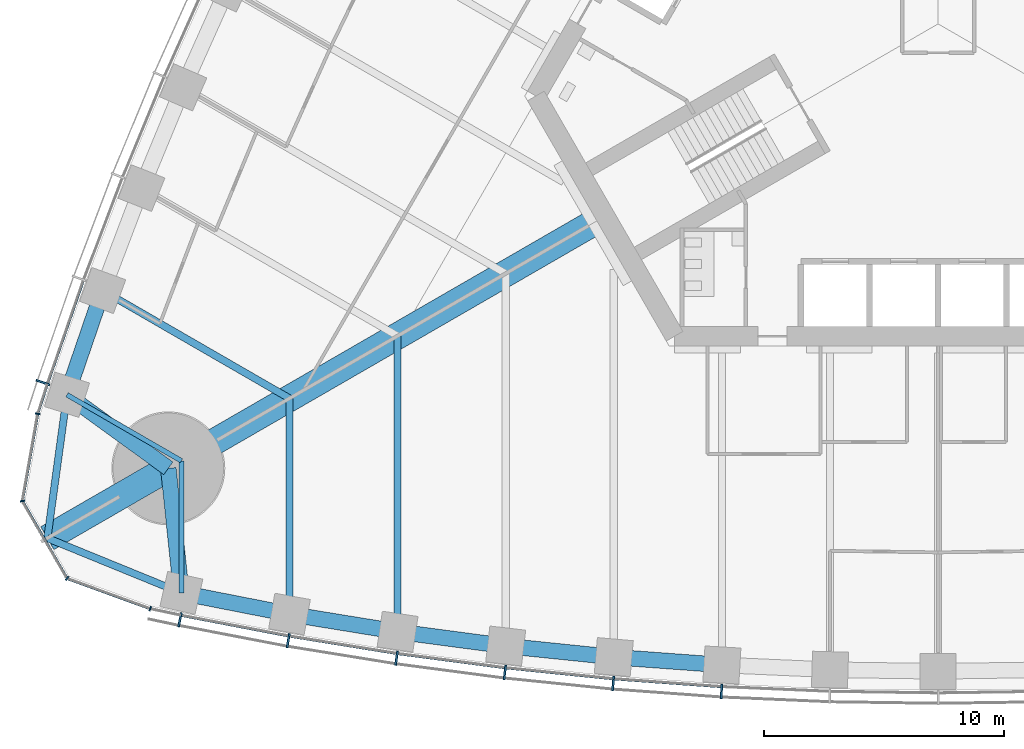
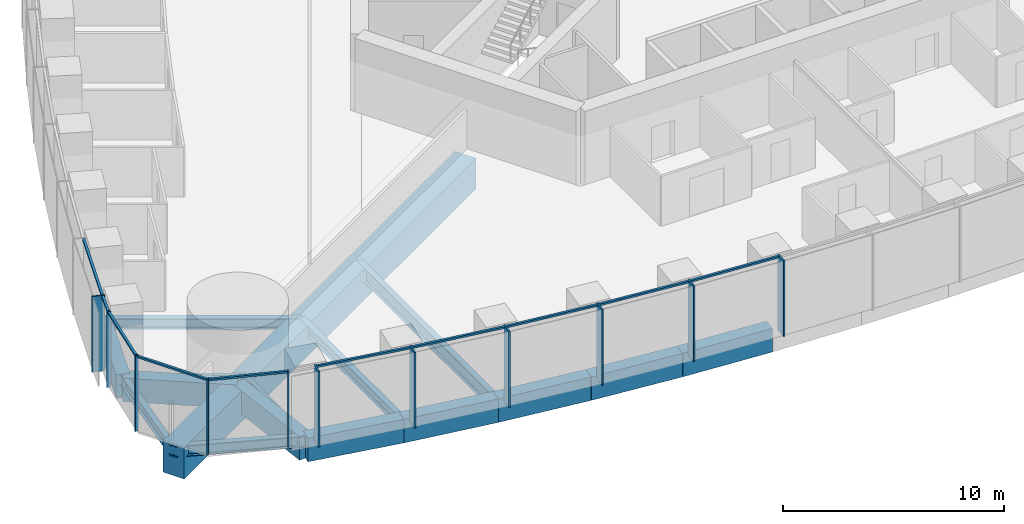
# One storey, part 2 of 18: 21 members, 17 beams, 3 elements without a shape of their own.
"""IFC4 building model written with IfcOpenShell, lengths in metres."""

from ifc_helpers import new_model, si_unit, direction, frame, origin, origin_2d, place, context, subcontext, project, spatial, rectangle, i_section, extrude, material, material_profile, profile_set, type_object, element, aggregate, save


model = new_model("IFC4")

# Units and contexts
model_context = context("Model", 3, precision=1e-05, world=origin(), true_north=direction((0.0, 1.0)))
body_context = subcontext(model_context, "Body", "Model", "MODEL_VIEW")
ifc_project = project(units=[si_unit("LENGTHUNIT", "METRE"), si_unit("AREAUNIT", "SQUARE_METRE"), si_unit("VOLUMEUNIT", "CUBIC_METRE"), si_unit("PLANEANGLEUNIT", "RADIAN"), si_unit("MASSUNIT", "GRAM", prefix="KILO")], contexts=[model_context])

# Site, building, storey
site_placement = place(None, origin())
site = spatial("IfcSite", under=ifc_project, at=site_placement, CompositionType="ELEMENT")
building_placement = place(site_placement, origin())
building = spatial("IfcBuilding", under=site, at=building_placement, Name="Trefoil Bronze Tower", CompositionType="ELEMENT")
storey_placement = place(building_placement, frame((0.0, 0.0, 24.89990234375)))
storey = spatial("IfcBuildingStorey", under=building, at=storey_placement, Name="L05", CompositionType="ELEMENT", Elevation=24.89990234375)

# Curtain wall, members
ifc_material_1 = material(Name="Tinted solar-control glass", Category="glass")
curtain_wall_type_1 = type_object("IfcCurtainWallType", Name="Bronze office curtain wall", PredefinedType="USERDEFINED", material=ifc_material_1)
curtain_wall_1_placement = place(storey_placement, origin())
curtain_wall_1 = element("IfcCurtainWall", 1, at=curtain_wall_1_placement, inside=storey, type_object=curtain_wall_type_1, Name="CW-A L05 F1", ObjectType="CURTAIN WALL", PredefinedType="USERDEFINED")
ifc_material_2 = material(Name="Bronze-finish aluminium", Category="aluminium")
ifc_material_profile_1 = material_profile(ifc_material_2, rectangle(XDim=0.60009765625, YDim=0.080078125, at=origin_2d()), Name="CW-A mullion")
ifc_profile_set_1 = profile_set([ifc_material_profile_1], Name="Bronze-finish aluminium")
member_type_1 = type_object("IfcMemberType", Name="Bronze office curtain wall mullion", PredefinedType="MULLION", material=ifc_profile_set_1)
member_1_placement = place(storey_placement, frame((-31.559326171875, -24.81005859375, 0.0), z_axis=(0.0, 0.0, 1.0), x_axis=(0.197910006829, 0.98022019424, 0.0)))
member_1 = element("IfcMember", 2, at=member_1_placement, type_object=member_type_1, Name="CW-A L05 F1 mullion 2", PredefinedType="MULLION", context=body_context, shape_type="SweptSolid", body=[
    extrude(rectangle(XDim=0.60009765625, YDim=0.080078125, at=origin_2d()), origin(), (0.0, 0.0, 1.0), 4.18017578125),
])
member_2_placement = place(storey_placement, frame((-27.05224609375, -25.67578125, 0.0), z_axis=(0.0, 0.0, 1.0), x_axis=(0.174131146426, 0.984722470468, 0.0)))
member_2 = element("IfcMember", 3, at=member_2_placement, type_object=member_type_1, Name="CW-A L05 F1 mullion 3", PredefinedType="MULLION", context=body_context, shape_type="SweptSolid", body=[
    extrude(rectangle(XDim=0.60009765625, YDim=0.080078125, at=origin_2d()), origin(), (0.0, 0.0, 1.0), 4.18017578125),
])
member_3_placement = place(storey_placement, frame((-22.54345703125, -26.40478515625, 0.0), z_axis=(0.0, 0.0, 1.0), x_axis=(0.145108990094, 0.989415676546, 0.0)))
member_3 = element("IfcMember", 4, at=member_3_placement, type_object=member_type_1, Name="CW-A L05 F1 mullion 4", PredefinedType="MULLION", context=body_context, shape_type="SweptSolid", body=[
    extrude(rectangle(XDim=0.60009765625, YDim=0.080078125, at=origin_2d()), origin(), (0.0, 0.0, 1.0), 4.18017578125),
])
member_4_placement = place(storey_placement, frame((-18.034912109375, -26.99853515625, 0.0), z_axis=(0.0, 0.0, 1.0), x_axis=(0.116086999973, 0.993239048989, 0.0)))
member_4 = element("IfcMember", 5, at=member_4_placement, type_object=member_type_1, Name="CW-A L05 F1 mullion 5", PredefinedType="MULLION", context=body_context, shape_type="SweptSolid", body=[
    extrude(rectangle(XDim=0.60009765625, YDim=0.080078125, at=origin_2d()), origin(), (0.0, 0.0, 1.0), 4.18017578125),
])
member_5_placement = place(storey_placement, frame((-13.526123046875, -27.458984375, 0.0), z_axis=(0.0, 0.0, 1.0), x_axis=(0.087065139456, 0.996202620701, 0.0)))
member_5 = element("IfcMember", 6, at=member_5_placement, type_object=member_type_1, Name="CW-A L05 F1 mullion 6", PredefinedType="MULLION", context=body_context, shape_type="SweptSolid", body=[
    extrude(rectangle(XDim=0.60009765625, YDim=0.080078125, at=origin_2d()), origin(), (0.0, 0.0, 1.0), 4.18017578125),
])
member_6_placement = place(storey_placement, frame((-9.017333984375, -27.786865234375, 0.0), z_axis=(0.0, 0.0, 1.0), x_axis=(0.058043374207, 0.998314062162, 0.0)))
member_6 = element("IfcMember", 7, at=member_6_placement, type_object=member_type_1, Name="CW-A L05 F1 mullion 7", PredefinedType="MULLION", context=body_context, shape_type="SweptSolid", body=[
    extrude(rectangle(XDim=0.60009765625, YDim=0.080078125, at=origin_2d()), origin(), (0.0, 0.0, 1.0), 4.18017578125),
])

# Curtain wall, member
curtain_wall_2_placement = place(storey_placement, origin())
curtain_wall_2 = element("IfcCurtainWall", 8, at=curtain_wall_2_placement, inside=storey, type_object=curtain_wall_type_1, Name="CW-A L05 F3", ObjectType="CURTAIN WALL", PredefinedType="USERDEFINED")
member_7_placement = place(storey_placement, frame((-37.265869140625, -14.92626953125, 0.0), z_axis=(0.0, 0.0, 1.0), x_axis=(0.947850592929, -0.318715003543, 0.0)))
member_7 = element("IfcMember", 9, at=member_7_placement, type_object=member_type_1, Name="CW-A L05 F3 mullion 16", PredefinedType="MULLION", context=body_context, shape_type="SweptSolid", body=[
    extrude(rectangle(XDim=0.60009765625, YDim=0.080078125, at=origin_2d()), origin(), (0.0, 0.0, 1.0), 4.18017578125),
])

# Member
ifc_material_3 = material(Name="Bronze-finish aluminium", Category="aluminium")
ifc_material_profile_2 = material_profile(ifc_material_3, rectangle(XDim=0.1201171875, YDim=0.10009765625, at=origin_2d()), Name="CW-A transom")
ifc_profile_set_2 = profile_set([ifc_material_profile_2], Name="Bronze-finish aluminium")
member_type_2 = type_object("IfcMemberType", Name="Bronze office curtain wall transom", PredefinedType="USERDEFINED", material=ifc_profile_set_2)
member_8_placement = place(storey_placement, frame((-31.4794921875, -24.621826171875, 4.130126953125), z_axis=(0.982053603997, -0.188602011855, 0.0), x_axis=(0.188602011855, 0.982053603997, 0.0)))
member_8 = element("IfcMember", 10, at=member_8_placement, type_object=member_type_2, Name="CW-A L05 F1 transom 2", ObjectType="TRANSOM", PredefinedType="USERDEFINED", context=body_context, shape_type="SweptSolid", body=[
    extrude(rectangle(XDim=0.1201171875, YDim=0.10009765625, at=origin_2d()), origin(), (0.0, 0.0, 1.0), 4.502197265625),
])

member_9_placement = place(storey_placement, frame((-26.9765625, -25.4853515625, 4.130126953125), z_axis=(0.987179401487, -0.159614627398, 0.0), x_axis=(0.159614627398, 0.987179401487, 0.0)))
member_9 = element("IfcMember", 11, at=member_9_placement, type_object=member_type_2, Name="CW-A L05 F1 transom 3", ObjectType="TRANSOM", PredefinedType="USERDEFINED", context=body_context, shape_type="SweptSolid", body=[
    extrude(rectangle(XDim=0.1201171875, YDim=0.10009765625, at=origin_2d()), origin(), (0.0, 0.0, 1.0), 4.478515625),
])

member_10_placement = place(storey_placement, frame((-22.473388671875, -26.212158203125, 4.130126953125), z_axis=(0.991436581643, -0.13058906761, 0.0), x_axis=(0.13058906761, 0.991436581643, 0.0)))
member_10 = element("IfcMember", 12, at=member_10_placement, type_object=member_type_2, Name="CW-A L05 F1 transom 4", ObjectType="TRANSOM", PredefinedType="USERDEFINED", context=body_context, shape_type="SweptSolid", body=[
    extrude(rectangle(XDim=0.1201171875, YDim=0.10009765625, at=origin_2d()), origin(), (0.0, 0.0, 1.0), 4.458740234375),
])

member_11_placement = place(storey_placement, frame((-17.970458984375, -26.80419921875, 4.130126953125), z_axis=(0.994831650915, -0.101538102888, 0.0), x_axis=(0.101538102888, 0.994831650915, 0.0)))
member_11 = element("IfcMember", 13, at=member_11_placement, type_object=member_type_2, Name="CW-A L05 F1 transom 5", ObjectType="TRANSOM", PredefinedType="USERDEFINED", context=body_context, shape_type="SweptSolid", body=[
    extrude(rectangle(XDim=0.1201171875, YDim=0.10009765625, at=origin_2d()), origin(), (0.0, 0.0, 1.0), 4.443359375),
])

member_12_placement = place(storey_placement, frame((-13.46728515625, -27.2626953125, 4.130126953125), z_axis=(0.997364729945, -0.07255064067, 0.0), x_axis=(0.07255064067, 0.997364729945, 0.0)))
member_12 = element("IfcMember", 14, at=member_12_placement, type_object=member_type_2, Name="CW-A L05 F1 transom 6", ObjectType="TRANSOM", PredefinedType="USERDEFINED", context=body_context, shape_type="SweptSolid", body=[
    extrude(rectangle(XDim=0.1201171875, YDim=0.10009765625, at=origin_2d()), origin(), (0.0, 0.0, 1.0), 4.431884765625),
])

aggregate(curtain_wall_1, [member_1, member_2, member_3, member_4, member_5, member_6, member_8, member_9, member_10, member_11, member_12])

member_13_placement = place(storey_placement, frame((-35.587646484375, -10.697509765625, 4.130126953125), z_axis=(-0.327689728493, -0.944785394595, 0.0), x_axis=(0.944785394595, -0.327689728493, 0.0)))
member_13 = element("IfcMember", 15, at=member_13_placement, type_object=member_type_2, Name="CW-A L05 F3 transom 15", ObjectType="TRANSOM", PredefinedType="USERDEFINED", context=body_context, shape_type="SweptSolid", body=[
    extrude(rectangle(XDim=0.1201171875, YDim=0.10009765625, at=origin_2d()), origin(), (0.0, 0.0, 1.0), 4.502197265625),
])

member_14_placement = place(storey_placement, frame((-37.089111328125, -15.02880859375, 4.130126953125), z_axis=(-0.309624219148, -0.950859002648, 0.0), x_axis=(0.950859002648, -0.309624219148, 0.0)))
member_14 = element("IfcMember", 16, at=member_14_placement, type_object=member_type_2, Name="CW-A L05 F3 transom 16", ObjectType="TRANSOM", PredefinedType="USERDEFINED", context=body_context, shape_type="SweptSolid", body=[
    extrude(rectangle(XDim=0.1201171875, YDim=0.10009765625, at=origin_2d()), origin(), (0.0, 0.0, 1.0), 1.21044921875),
])

aggregate(curtain_wall_2, [member_7, member_13, member_14])

# Curtain wall, members
ifc_material_4 = material(Name="Tinted solar-control glass", Category="glass")
curtain_wall_type_2 = type_object("IfcCurtainWallType", Name="Bronze rounded corner curtain wall", PredefinedType="USERDEFINED", material=ifc_material_4)
curtain_wall_3_placement = place(storey_placement, origin())
curtain_wall_3 = element("IfcCurtainWall", 17, at=curtain_wall_3_placement, inside=storey, type_object=curtain_wall_type_2, Name="CW-B L05 K3", ObjectType="CURTAIN WALL", PredefinedType="USERDEFINED")
ifc_material_5 = material(Name="Bronze-finish aluminium", Category="aluminium")
ifc_material_profile_3 = material_profile(ifc_material_5, rectangle(XDim=0.199951171875, YDim=0.06005859375, at=origin_2d()), Name="CW-B mullion")
ifc_profile_set_3 = profile_set([ifc_material_profile_3], Name="Bronze-finish aluminium")
member_type_3 = type_object("IfcMemberType", Name="Bronze rounded corner curtain wall mullion", PredefinedType="MULLION", material=ifc_profile_set_3)
member_15_placement = place(storey_placement, frame((-37.479736328125, -16.2314453125, 0.0), z_axis=(0.0, 0.0, 1.0), x_axis=(0.984807753012, -0.173648177667, 0.0)))
member_15 = element("IfcMember", 18, at=member_15_placement, type_object=member_type_3, Name="CW-B L05 K3 mullion 1", PredefinedType="MULLION", context=body_context, shape_type="SweptSolid", body=[
    extrude(rectangle(XDim=0.199951171875, YDim=0.06005859375, at=origin_2d()), origin(), (0.0, 0.0, 1.0), 4.18017578125),
])
member_16_placement = place(storey_placement, frame((-38.11328125, -19.85888671875, 0.0), z_axis=(0.0, 0.0, 1.0), x_axis=(0.984807753012, 0.173648177667, 0.0)))
member_16 = element("IfcMember", 19, at=member_16_placement, type_object=member_type_3, Name="CW-B L05 K3 mullion 2", PredefinedType="MULLION", context=body_context, shape_type="SweptSolid", body=[
    extrude(rectangle(XDim=0.199951171875, YDim=0.06005859375, at=origin_2d()), origin(), (0.0, 0.0, 1.0), 4.18017578125),
])
member_17_placement = place(storey_placement, frame((-36.2548828125, -23.07763671875, 0.0), z_axis=(0.0, 0.0, 1.0), x_axis=(0.642787609687, 0.766044443119, 0.0)))
member_17 = element("IfcMember", 20, at=member_17_placement, type_object=member_type_3, Name="CW-B L05 K3 mullion 3", PredefinedType="MULLION", context=body_context, shape_type="SweptSolid", body=[
    extrude(rectangle(XDim=0.199951171875, YDim=0.06005859375, at=origin_2d()), origin(), (0.0, 0.0, 1.0), 4.18017578125),
])
member_18_placement = place(storey_placement, frame((-32.796630859375, -24.3427734375, 0.0), z_axis=(0.0, 0.0, 1.0), x_axis=(0.342020143326, 0.939692620786, 0.0)))
member_18 = element("IfcMember", 21, at=member_18_placement, type_object=member_type_3, Name="CW-B L05 K3 mullion 4", PredefinedType="MULLION", context=body_context, shape_type="SweptSolid", body=[
    extrude(rectangle(XDim=0.199951171875, YDim=0.06005859375, at=origin_2d()), origin(), (0.0, 0.0, 1.0), 4.18017578125),
])
ifc_material_6 = material(Name="Bronze-finish aluminium", Category="aluminium")
ifc_material_profile_4 = material_profile(ifc_material_6, rectangle(XDim=0.1201171875, YDim=0.10009765625, at=origin_2d()), Name="CW-B transom")
ifc_profile_set_4 = profile_set([ifc_material_profile_4], Name="Bronze-finish aluminium")
member_type_4 = type_object("IfcMemberType", Name="Bronze rounded corner curtain wall transom", PredefinedType="USERDEFINED", material=ifc_profile_set_4)
member_19_placement = place(storey_placement, frame((-37.48486328125, -16.260986328125, 4.130126953125), z_axis=(-0.17363783606, -0.984809576461, 0.0), x_axis=(0.984809576461, -0.17363783606, 0.0)))
member_19 = element("IfcMember", 22, at=member_19_placement, type_object=member_type_4, Name="CW-B L05 K3 transom 1", ObjectType="TRANSOM", PredefinedType="USERDEFINED", context=body_context, shape_type="SweptSolid", body=[
    extrude(rectangle(XDim=0.1201171875, YDim=0.10009765625, at=origin_2d()), origin(), (0.0, 0.0, 1.0), 3.588134765625),
])
member_20_placement = place(storey_placement, frame((-38.08642578125, -19.91748046875, 4.130126953125), z_axis=(0.500024788772, -0.866011091507, 0.0), x_axis=(0.866011091507, 0.500024788772, 0.0)))
member_20 = element("IfcMember", 23, at=member_20_placement, type_object=member_type_4, Name="CW-B L05 K3 transom 2", ObjectType="TRANSOM", PredefinedType="USERDEFINED", context=body_context, shape_type="SweptSolid", body=[
    extrude(rectangle(XDim=0.1201171875, YDim=0.10009765625, at=origin_2d()), origin(), (0.0, 0.0, 1.0), 3.588134765625),
])
member_21_placement = place(storey_placement, frame((-36.196533203125, -23.105224609375, 4.130126953125), z_axis=(0.939688092095, -0.342032585545, 0.0), x_axis=(0.342032585545, 0.939688092095, 0.0)))
member_21 = element("IfcMember", 24, at=member_21_placement, type_object=member_type_4, Name="CW-B L05 K3 transom 3", ObjectType="TRANSOM", PredefinedType="USERDEFINED", context=body_context, shape_type="SweptSolid", body=[
    extrude(rectangle(XDim=0.1201171875, YDim=0.10009765625, at=origin_2d()), origin(), (0.0, 0.0, 1.0), 3.588134765625),
])
aggregate(curtain_wall_3, [member_15, member_16, member_17, member_18, member_19, member_20, member_21])

# Beams
ifc_material_7 = material(Name="Concrete B80", Category="concrete")
ifc_material_profile_5 = material_profile(ifc_material_7, rectangle(XDim=1.10009765625, YDim=1.699951171875, at=origin_2d()), Name="RC 1100x1700")
ifc_profile_set_5 = profile_set([ifc_material_profile_5], Name="Concrete B80")
beam_type_1 = type_object("IfcBeamType", Name="Corner cantilever RC 1100x1700", PredefinedType="BEAM", material=ifc_profile_set_5)
beam_1_placement = place(storey_placement, frame((-32.04296875, -18.5, -1.0498046875), z_axis=(-0.866030348588, -0.499991435252, 0.0), x_axis=(0.499991435252, -0.866030348588, 0.0)))
element("IfcBeam", 25, at=beam_1_placement, inside=storey, type_object=beam_type_1, Name="Corner cantilever K3 L05", PredefinedType="BEAM", context=body_context, shape_type="SweptSolid", body=[
    extrude(rectangle(XDim=1.10009765625, YDim=1.699951171875, at=origin_2d()), origin(), (0.0, 0.0, 1.0), 5.81396484375),
])
ifc_material_8 = material(Name="Steel C355", Category="steel")
ifc_material_profile_6 = material_profile(ifc_material_8, i_section(OverallWidth=0.300048828125, OverallDepth=0.60009765625, WebThickness=0.015380859375, FlangeThickness=0.030029296875, FilletRadius=0.027099609375, at=origin_2d()), Name="HEB 600")
ifc_profile_set_6 = profile_set([ifc_material_profile_6], Name="Steel C355")
beam_type_2 = type_object("IfcBeamType", Name="Corner edge beam HEB 600", PredefinedType="BEAM", material=ifc_profile_set_6)
beam_2_placement = place(storey_placement, frame((-31.5, -23.684814453125, -0.5), z_axis=(-0.925786874353, 0.378045848114, 0.0), x_axis=(-0.378045848114, -0.925786874353, 0.0)))
element("IfcBeam", 26, at=beam_2_placement, inside=storey, type_object=beam_type_2, Name="Corner edge beam F1B L05", PredefinedType="BEAM", context=body_context, shape_type="SweptSolid", body=[
    extrude(i_section(OverallWidth=0.300048828125, OverallDepth=0.60009765625, WebThickness=0.015380859375, FlangeThickness=0.030029296875, FilletRadius=0.027099609375, at=origin_2d()), origin(), (0.0, 0.0, 1.0), 6.025390625),
])
beam_3_placement = place(storey_placement, frame((-36.26171875, -15.4375, -0.5), z_axis=(-0.13550196505, -0.990777077585, 0.0), x_axis=(0.990777077585, -0.13550196505, 0.0)))
element("IfcBeam", 27, at=beam_3_placement, inside=storey, type_object=beam_type_2, Name="Corner edge beam F3A L05", PredefinedType="BEAM", context=body_context, shape_type="SweptSolid", body=[
    extrude(i_section(OverallWidth=0.300048828125, OverallDepth=0.60009765625, WebThickness=0.015380859375, FlangeThickness=0.030029296875, FilletRadius=0.027099609375, at=origin_2d()), origin(), (0.0, 0.0, 1.0), 6.025146484375),
])
ifc_material_9 = material(Name="Concrete B80", Category="concrete")
ifc_material_profile_7 = material_profile(ifc_material_9, rectangle(XDim=1.10009765625, YDim=1.699951171875, at=origin_2d()), Name="RC 1100x1700")
ifc_profile_set_7 = profile_set([ifc_material_profile_7], Name="Concrete B80")
beam_type_3 = type_object("IfcBeamType", Name="Corner girder RC 1100x1700", PredefinedType="BEAM", material=ifc_profile_set_7)
beam_4_placement = place(storey_placement, frame((-14.202880859375, -8.199951171875, -1.0498046875), z_axis=(-0.866023947468, -0.500002522405, 0.0), x_axis=(0.500002522405, -0.866023947468, 0.0)))
element("IfcBeam", 28, at=beam_4_placement, inside=storey, type_object=beam_type_3, Name="Corner girder K3 L05", PredefinedType="BEAM", context=body_context, shape_type="SweptSolid", body=[
    extrude(rectangle(XDim=1.10009765625, YDim=1.699951171875, at=origin_2d()), origin(), (0.0, 0.0, 1.0), 20.60009765625),
])
ifc_material_10 = material(Name="Concrete B80", Category="concrete")
ifc_material_profile_8 = material_profile(ifc_material_10, rectangle(XDim=0.64990234375, YDim=1.300048828125, at=origin_2d()), Name="RC 650x1300")
ifc_profile_set_8 = profile_set([ifc_material_profile_8], Name="Concrete B80")
beam_type_4 = type_object("IfcBeamType", Name="End spandrel beam RC 650x1300", PredefinedType="SPANDREL", material=ifc_profile_set_8)
for number, where, z_axis, x_axis, name in (
    (29, (-32.04296875, -18.5, -0.849853515625), (0.104153327908, -0.994561252154, 0.0), (0.994561252154, 0.104153327908, 0.0), "Spandrel F1.1 L05"),
    (30, (-36.26171875, -15.4375, -0.849853515625), (0.809254211267, -0.587458612624, 0.0), (0.587458612624, 0.809254211267, 0.0), "Spandrel F3.16 L05"),
):
    element("IfcBeam", number, at=place(storey_placement, frame(where, z_axis=z_axis, x_axis=x_axis)), inside=storey, type_object=beam_type_4, Name=name, PredefinedType="SPANDREL", context=body_context, shape_type="SweptSolid", body=[
        extrude(rectangle(XDim=0.64990234375, YDim=1.300048828125, at=origin_2d()), origin(), (0.0, 0.0, 1.0), 5.213134765625),
    ])
ifc_material_11 = material(Name="Steel C355", Category="steel")
ifc_material_profile_9 = material_profile(ifc_material_11, i_section(OverallWidth=0.300048828125, OverallDepth=0.590087890625, WebThickness=0.012939453125, FlangeThickness=0.02490234375, FilletRadius=0.027099609375, at=origin_2d()), Name="HEA 600")
ifc_profile_set_9 = profile_set([ifc_material_profile_9], Name="Steel C355")
beam_type_5 = type_object("IfcBeamType", Name="Floor beam HEA 600", PredefinedType="BEAM", material=ifc_profile_set_9)
for number, where, z_axis, x_axis, name in (
    (31, (-27.0, -24.56787109375, -0.494873046875), (0.0, 1.0, 0.0), (-1.0, 0.0, 0.0), "Floor beam F1/-6 L05"),
    (32, (-34.7763671875, -11.0986328125, -0.494873046875), (0.866022587327, -0.500004878216, 0.0), (0.500004878216, 0.866022587327, 0.0), "Floor beam F3/+6 L05"),
):
    element("IfcBeam", number, at=place(storey_placement, frame(where, z_axis=z_axis, x_axis=x_axis)), inside=storey, type_object=beam_type_5, Name=name, PredefinedType="BEAM", context=body_context, shape_type="SweptSolid", body=[
        extrude(i_section(OverallWidth=0.300048828125, OverallDepth=0.590087890625, WebThickness=0.012939453125, FlangeThickness=0.02490234375, FilletRadius=0.027099609375, at=origin_2d()), origin(), (0.0, 0.0, 1.0), 8.9794921875),
    ])
ifc_material_12 = material(Name="Steel C355", Category="steel")
ifc_material_profile_10 = material_profile(ifc_material_12, i_section(OverallWidth=0.300048828125, OverallDepth=0.800048828125, WebThickness=0.017578125, FlangeThickness=0.032958984375, FilletRadius=0.030029296875, at=origin_2d()), Name="HEB 800")
ifc_profile_set_10 = profile_set([ifc_material_profile_10], Name="Steel C355")
beam_type_6 = type_object("IfcBeamType", Name="Floor beam HEB 800", PredefinedType="BEAM", material=ifc_profile_set_10)
beam_5_placement = place(storey_placement, frame((-22.5, -25.29931640625, -0.599853515625), z_axis=(0.0, 1.0, 0.0), x_axis=(-1.0, 0.0, 0.0)))
element("IfcBeam", 33, at=beam_5_placement, inside=storey, type_object=beam_type_6, Name="Floor beam F1/-5 L05", PredefinedType="BEAM", context=body_context, shape_type="SweptSolid", body=[
    extrude(i_section(OverallWidth=0.300048828125, OverallDepth=0.800048828125, WebThickness=0.017578125, FlangeThickness=0.032958984375, FilletRadius=0.030029296875, at=origin_2d()), origin(), (0.0, 0.0, 1.0), 12.308837890625),
])
ifc_material_13 = material(Name="Steel C355", Category="steel")
ifc_material_profile_11 = material_profile(ifc_material_13, i_section(OverallWidth=0.199951171875, OverallDepth=0.5, WebThickness=0.01025390625, FlangeThickness=0.01611328125, FilletRadius=0.02099609375, at=origin_2d()), Name="IPE 500")
ifc_profile_set_11 = profile_set([ifc_material_profile_11], Name="Steel C355")
beam_type_7 = type_object("IfcBeamType", Name="Floor beam IPE 500", PredefinedType="BEAM", material=ifc_profile_set_11)
for number, where, z_axis, x_axis, name in (
    (34, (-31.5, -23.684814453125, -0.449951171875), (0.0, 1.0, 0.0), (-1.0, 0.0, 0.0), "Floor beam F1/-7 L05"),
    (35, (-36.26171875, -15.4375, -0.449951171875), (0.866037702141, -0.499978698016, 0.0), (0.499978698016, 0.866037702141, 0.0), "Floor beam F3/+7 L05"),
):
    element("IfcBeam", number, at=place(storey_placement, frame(where, z_axis=z_axis, x_axis=x_axis)), inside=storey, type_object=beam_type_7, Name=name, PredefinedType="BEAM", context=body_context, shape_type="SweptSolid", body=[
        extrude(i_section(OverallWidth=0.199951171875, OverallDepth=0.5, WebThickness=0.01025390625, FlangeThickness=0.01611328125, FilletRadius=0.02099609375, at=origin_2d()), origin(), (0.0, 0.0, 1.0), 5.498291015625),
    ])
ifc_material_14 = material(Name="Concrete B80", Category="concrete")
ifc_material_profile_12 = material_profile(ifc_material_14, rectangle(XDim=0.64990234375, YDim=1.300048828125, at=origin_2d()), Name="RC 650x1300")
ifc_profile_set_12 = profile_set([ifc_material_profile_12], Name="Concrete B80")
beam_type_8 = type_object("IfcBeamType", Name="Spandrel beam RC 650x1300", PredefinedType="SPANDREL", material=ifc_profile_set_12)
beam_6_placement = place(storey_placement, frame((-31.5, -23.684814453125, -0.849853515625), z_axis=(0.981284764092, -0.192562228283, 0.0), x_axis=(0.192562228283, 0.981284764092, 0.0)))
element("IfcBeam", 36, at=beam_6_placement, inside=storey, type_object=beam_type_8, Name="Spandrel F1.2 L05", PredefinedType="SPANDREL", context=body_context, shape_type="SweptSolid", body=[
    extrude(rectangle(XDim=0.64990234375, YDim=1.300048828125, at=origin_2d()), origin(), (0.0, 0.0, 1.0), 4.5859375),
])
beam_7_placement = place(storey_placement, frame((-27.0, -24.56787109375, -0.849853515625), z_axis=(0.987045951254, -0.160437807615, 0.0), x_axis=(0.160437807615, 0.987045951254, 0.0)))
element("IfcBeam", 37, at=beam_7_placement, inside=storey, type_object=beam_type_8, Name="Spandrel F1.3 L05", PredefinedType="SPANDREL", context=body_context, shape_type="SweptSolid", body=[
    extrude(rectangle(XDim=0.64990234375, YDim=1.300048828125, at=origin_2d()), origin(), (0.0, 0.0, 1.0), 4.55908203125),
])
beam_8_placement = place(storey_placement, frame((-22.5, -25.29931640625, -0.849853515625), z_axis=(0.991344474846, -0.131286450906, 0.0), x_axis=(0.131286450906, 0.991344474846, 0.0)))
element("IfcBeam", 38, at=beam_8_placement, inside=storey, type_object=beam_type_8, Name="Spandrel F1.4 L05", PredefinedType="SPANDREL", context=body_context, shape_type="SweptSolid", body=[
    extrude(rectangle(XDim=0.64990234375, YDim=1.300048828125, at=origin_2d()), origin(), (0.0, 0.0, 1.0), 4.539306640625),
])
beam_9_placement = place(storey_placement, frame((-18.0, -25.895263671875, -0.849853515625), z_axis=(0.994778488621, -0.102057623805, 0.0), x_axis=(0.102057623805, 0.994778488621, 0.0)))
element("IfcBeam", 39, at=beam_9_placement, inside=storey, type_object=beam_type_8, Name="Spandrel F1.5 L05", PredefinedType="SPANDREL", context=body_context, shape_type="SweptSolid", body=[
    extrude(rectangle(XDim=0.64990234375, YDim=1.300048828125, at=origin_2d()), origin(), (0.0, 0.0, 1.0), 4.523681640625),
])
beam_10_placement = place(storey_placement, frame((-13.5, -26.35693359375, -0.849853515625), z_axis=(0.997336412354, -0.072938882588, 0.0), x_axis=(0.072938882588, 0.997336412354, 0.0)))
element("IfcBeam", 40, at=beam_10_placement, inside=storey, type_object=beam_type_8, Name="Spandrel F1.6 L05", PredefinedType="SPANDREL", context=body_context, shape_type="SweptSolid", body=[
    extrude(rectangle(XDim=0.64990234375, YDim=1.300048828125, at=origin_2d()), origin(), (0.0, 0.0, 1.0), 4.511962890625),
])
beam_11_placement = place(storey_placement, frame((-34.7763671875, -11.0986328125, -0.849853515625), z_axis=(-0.323883319148, -0.946097032855, 0.0), x_axis=(0.946097032855, -0.323883319148, 0.0)))
element("IfcBeam", 41, at=beam_11_placement, inside=storey, type_object=beam_type_8, Name="Spandrel F3.15 L05", PredefinedType="SPANDREL", context=body_context, shape_type="SweptSolid", body=[
    extrude(rectangle(XDim=0.64990234375, YDim=1.300048828125, at=origin_2d()), origin(), (0.0, 0.0, 1.0), 4.586181640625),
])

save(model, "model.ifc")
